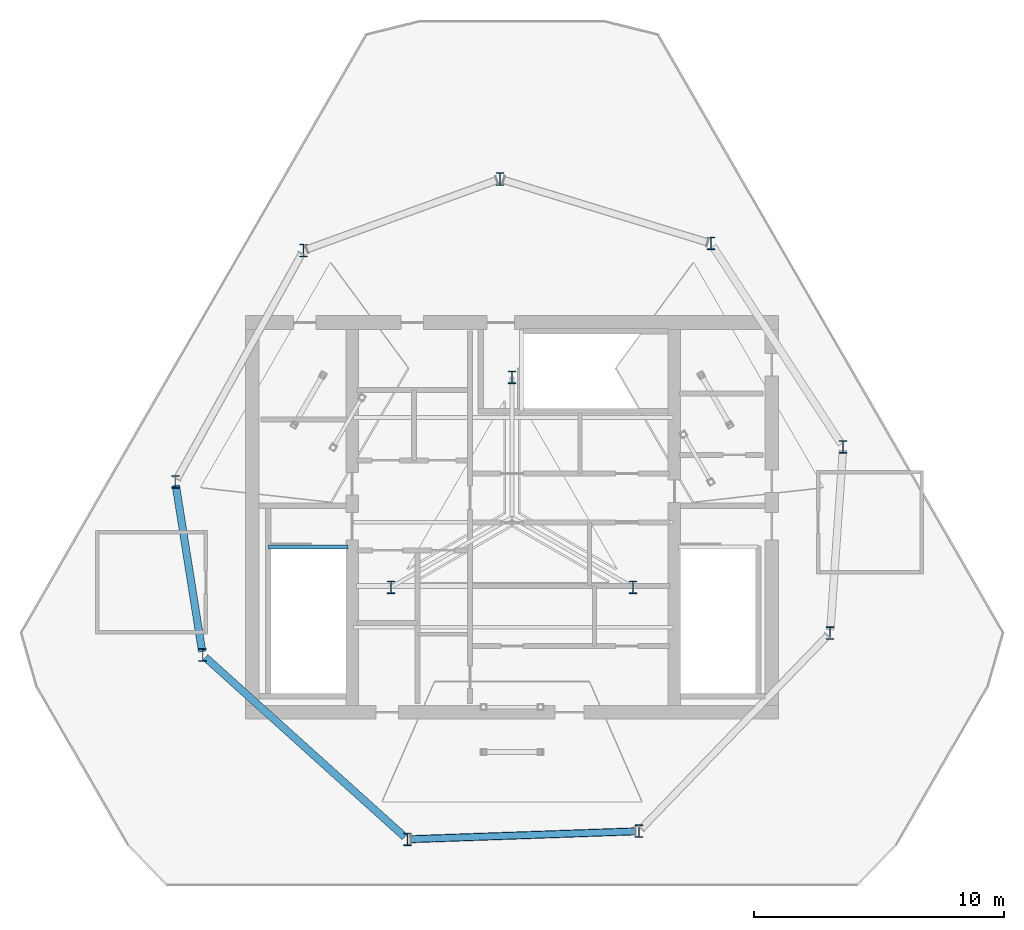
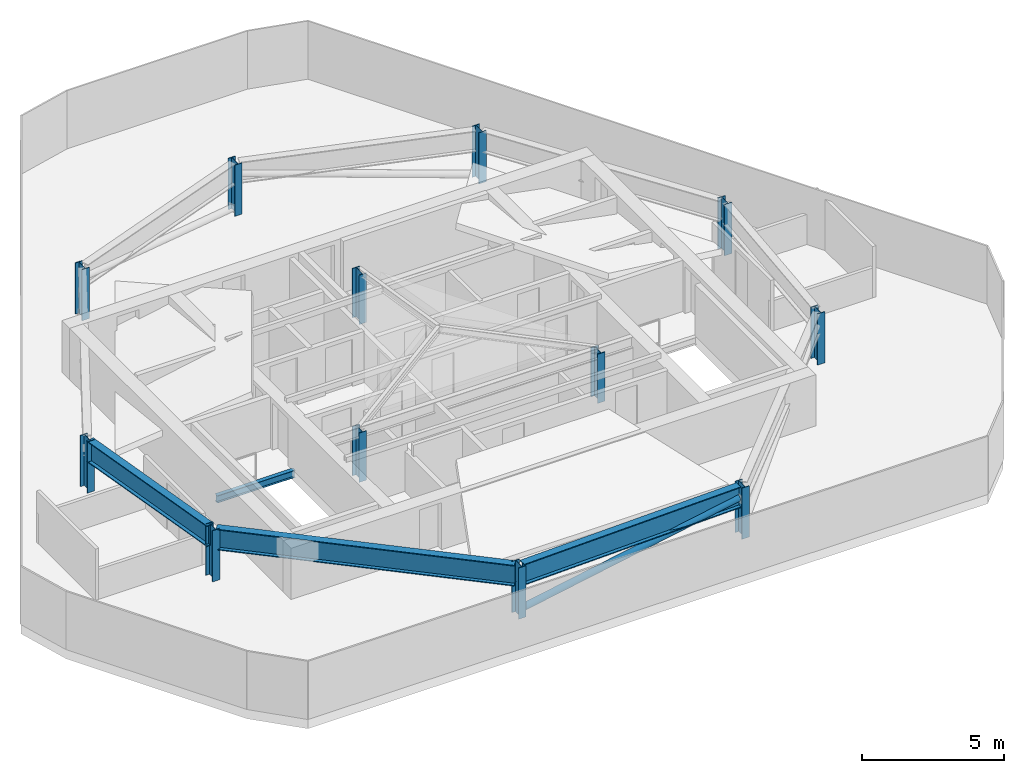
# One storey, part 1 of 9: 12 columns, 4 beams, 1 member.
"""IFC4 building model written with IfcOpenShell, lengths in metres."""

from ifc_helpers import new_model, si_unit, direction, frame, origin, origin_2d, place, context, subcontext, project, spatial, hollow_circle, i_section, extrude, material, material_profile, profile_set, type_object, element, save


model = new_model("IFC4")

# Units and contexts
model_context = context("Model", 3, precision=1e-05, world=origin(), true_north=direction((0.0, 1.0)))
body_context = subcontext(model_context, "Body", "Model", "MODEL_VIEW")
ifc_project = project(units=[si_unit("LENGTHUNIT", "METRE"), si_unit("AREAUNIT", "SQUARE_METRE"), si_unit("VOLUMEUNIT", "CUBIC_METRE"), si_unit("PLANEANGLEUNIT", "RADIAN"), si_unit("MASSUNIT", "GRAM", prefix="KILO")], contexts=[model_context])

# Site, building, storey
site_placement = place(None, origin())
site = spatial("IfcSite", under=ifc_project, at=site_placement, CompositionType="ELEMENT")
building_placement = place(site_placement, origin())
building = spatial("IfcBuilding", under=site, at=building_placement, Name="Qarnah Convention Tower", CompositionType="ELEMENT")
storey_placement = place(building_placement, frame((0.0, 0.0, 292.89990234375)))
storey = spatial("IfcBuildingStorey", under=building, at=storey_placement, Name="L79", CompositionType="ELEMENT", Elevation=292.89990234375)

# Columns
ifc_material = material(Name="Structural steel S355JR", Category="steel")
ifc_material_profile_1 = material_profile(ifc_material, i_section(OverallWidth=0.300048828125, OverallDepth=0.5, WebThickness=0.014892578125, FlangeThickness=0.028076171875, at=origin_2d()), Name="HEB500")
ifc_profile_set_1 = profile_set([ifc_material_profile_1], Name="Structural steel S355JR")
column_type = type_object("IfcColumnType", Name="COL-CRN-HEB500", PredefinedType="COLUMN", material=ifc_profile_set_1)
for number, where, z_axis, x_axis, name in (
    (1, (50.4541015625, 29.217041015625, 0.0), (0.0, 0.0, 1.0), (1.0, 0.0, 0.0), "L79 CROWN FRAME ring post PC-CROWN-01"),
    (2, (45.1640625, 37.362060546875, 0.0), (0.0, 0.0, 1.0), (1.0, 0.0, 0.0), "L79 CROWN FRAME ring post PC-CROWN-02"),
    (3, (36.72705078125, 39.94189453125, 0.0), (0.0, 0.0, 1.0), (1.0, 0.0, 0.0), "L79 CROWN FRAME ring post PC-CROWN-03"),
    (4, (28.85791015625, 37.077880859375, 0.0), (0.0, 0.0, 1.0), (1.0, 0.0, 0.0), "L79 CROWN FRAME ring post PC-CROWN-04"),
    (5, (23.72412109375, 27.81591796875, 0.0), (0.0, 0.0, 1.0), (1.0, 0.0, 0.0), "L79 CROWN FRAME ring post PC-CROWN-05"),
    (6, (24.821044921875, 20.888916015625, 0.0), (0.0, 0.0, 1.0), (1.0, 0.0, 0.0), "L79 CROWN FRAME ring post PC-CROWN-06"),
    (7, (33.012939453125, 13.512939453125, 0.0), (0.0, 0.0, 1.0), (1.0, 0.0, 0.0), "L79 CROWN FRAME ring post PC-CROWN-07"),
    (8, (42.27587890625, 13.8369140625, 0.0), (0.0, 0.0, 1.0), (1.0, 0.0, 0.0), "L79 CROWN FRAME ring post PC-CROWN-08"),
    (9, (49.93310546875, 21.76611328125, 0.0), (0.0, 0.0, 1.0), (1.0, 0.0, 0.0), "L79 CROWN FRAME ring post PC-CROWN-09"),
):
    element("IfcColumn", number, at=place(storey_placement, frame(where, z_axis=z_axis, x_axis=x_axis)), inside=storey, type_object=column_type, Name=name, PredefinedType="COLUMN", context=body_context, shape_type="SweptSolid", body=[
        extrude(i_section(OverallWidth=0.300048828125, OverallDepth=0.5, WebThickness=0.014892578125, FlangeThickness=0.028076171875, at=origin_2d()), origin(), (0.0, 0.0, 1.0), 2.2001953125),
    ])
for number, where, z_axis, x_axis, name in (
    (10, (37.199951171875, 32.0, 0.0), (0.0, 0.0, 1.0), (1.0, 0.0, 0.0), "L79 crown apex corner post 1"),
    (11, (32.35009765625, 23.60009765625, 0.0), (0.0, 0.0, 1.0), (1.0, 0.0, 0.0), "L79 crown apex corner post 2"),
    (12, (42.050048828125, 23.60009765625, 0.0), (0.0, 0.0, 1.0), (1.0, 0.0, 0.0), "L79 crown apex corner post 3"),
):
    element("IfcColumn", number, at=place(storey_placement, frame(where, z_axis=z_axis, x_axis=x_axis)), inside=storey, type_object=column_type, Name=name, PredefinedType="COLUMN", context=body_context, shape_type="SweptSolid", body=[
        extrude(i_section(OverallWidth=0.300048828125, OverallDepth=0.5, WebThickness=0.014892578125, FlangeThickness=0.028076171875, at=origin_2d()), origin(), (0.0, 0.0, 1.0), 2.1201171875),
    ])

# Beams
ifc_material_profile_2 = material_profile(ifc_material, i_section(OverallWidth=0.166015625, OverallDepth=0.31201171875, WebThickness=0.007080078125, FlangeThickness=0.010986328125, at=origin_2d()), Name="W310X45")
ifc_profile_set_2 = profile_set([ifc_material_profile_2], Name="Structural steel S355JR")
beam_type_1 = type_object("IfcBeamType", Name="BM-JST-W310", PredefinedType="JOIST", material=ifc_profile_set_2)
beam_1_placement = place(storey_placement, frame((27.4599609375, 25.217041015625, -0.156005859375), z_axis=(1.0, 0.0, 0.0), x_axis=(0.0, 1.0, 0.0)))
element("IfcBeam", 13, at=beam_1_placement, inside=storey, type_object=beam_type_1, Name="L79 stair landing trimmer beam BM-L79-ST1-TRM", PredefinedType="BEAM", context=body_context, shape_type="SweptSolid", body=[
    extrude(i_section(OverallWidth=0.166015625, OverallDepth=0.31201171875, WebThickness=0.007080078125, FlangeThickness=0.010986328125, at=origin_2d()), origin(), (0.0, 0.0, 1.0), 3.179931640625),
])
ifc_material_profile_3 = material_profile(ifc_material, i_section(OverallWidth=0.300048828125, OverallDepth=0.89990234375, WebThickness=0.01904296875, FlangeThickness=0.034912109375, at=origin_2d()), Name="HEB900")
ifc_profile_set_3 = profile_set([ifc_material_profile_3], Name="Structural steel S355JR")
beam_type_2 = type_object("IfcBeamType", Name="BM-RING-HEB900", PredefinedType="BEAM", material=ifc_profile_set_3)
beam_2_placement = place(storey_placement, frame((23.74609375, 27.677978515625, 1.75), z_axis=(0.156374021529, -0.987697912011, 0.0), x_axis=(0.987697912011, 0.156374021529, 0.0)))
element("IfcBeam", 14, at=beam_2_placement, inside=storey, type_object=beam_type_2, Name="L79 CROWN FRAME top ring cap beam 05", PredefinedType="BEAM", context=body_context, shape_type="SweptSolid", body=[
    extrude(i_section(OverallWidth=0.300048828125, OverallDepth=0.89990234375, WebThickness=0.01904296875, FlangeThickness=0.034912109375, at=origin_2d()), origin(), (0.0, 0.0, 1.0), 6.733642578125),
])
beam_3_placement = place(storey_placement, frame((24.925048828125, 20.794921875, 1.75), z_axis=(0.743178874011, -0.669092789696, 0.0), x_axis=(0.669092789696, 0.743178874011, 0.0)))
element("IfcBeam", 15, at=beam_3_placement, inside=storey, type_object=beam_type_2, Name="L79 CROWN FRAME top ring cap beam 06", PredefinedType="BEAM", context=body_context, shape_type="SweptSolid", body=[
    extrude(i_section(OverallWidth=0.300048828125, OverallDepth=0.89990234375, WebThickness=0.01904296875, FlangeThickness=0.034912109375, at=origin_2d()), origin(), (0.0, 0.0, 1.0), 10.742919921875),
])
beam_4_placement = place(storey_placement, frame((33.153076171875, 13.51806640625, 1.75), z_axis=(0.999389760583, 0.034930022072, 0.0), x_axis=(-0.034930022072, 0.999389760583, 0.0)))
element("IfcBeam", 16, at=beam_4_placement, inside=storey, type_object=beam_type_2, Name="L79 CROWN FRAME top ring cap beam 07", PredefinedType="BEAM", context=body_context, shape_type="SweptSolid", body=[
    extrude(i_section(OverallWidth=0.300048828125, OverallDepth=0.89990234375, WebThickness=0.01904296875, FlangeThickness=0.034912109375, at=origin_2d()), origin(), (0.0, 0.0, 1.0), 8.98828125),
])

# Member
ifc_material_profile_4 = material_profile(ifc_material, hollow_circle(Radius=0.136474609375, WallThickness=0.010009765625, at=origin_2d()), Name="CHS273X10")
ifc_profile_set_4 = profile_set([ifc_material_profile_4], Name="Structural steel S355JR")
member_type = type_object("IfcMemberType", Name="MBR-BRC-CHS273", PredefinedType="BRACE", material=ifc_profile_set_4)
member_placement = place(storey_placement, frame((33.153076171875, 13.51806640625, 0.25), z_axis=(0.987480893858, 0.034513791094, 0.153916478944), x_axis=(-0.034930022072, 0.999389760583, 0.0)))
element("IfcMember", 17, at=member_placement, inside=storey, type_object=member_type, Name="L79 CROWN FRAME ring brace 07", PredefinedType="BRACE", context=body_context, shape_type="SweptSolid", body=[
    extrude(hollow_circle(Radius=0.136474609375, WallThickness=0.010009765625, at=origin_2d()), origin(), (0.0, 0.0, 1.0), 9.0966796875),
])

save(model, "model.ifc")
